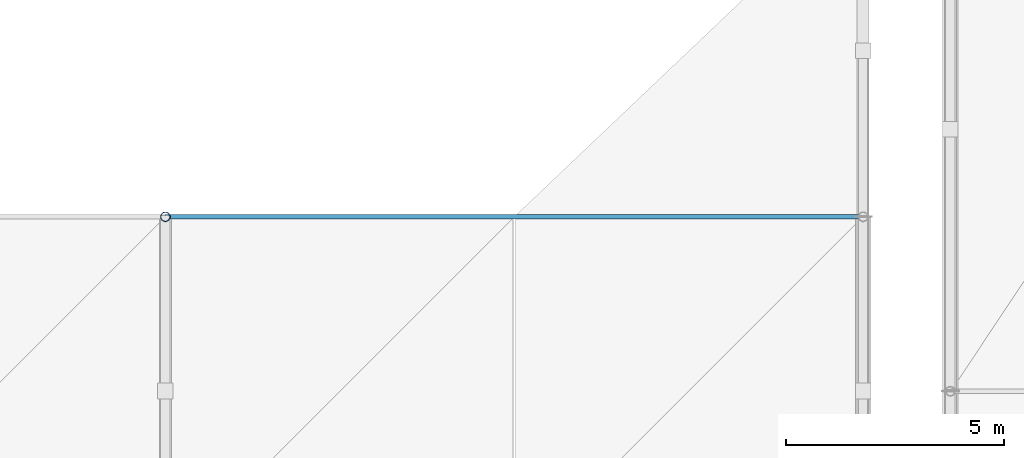
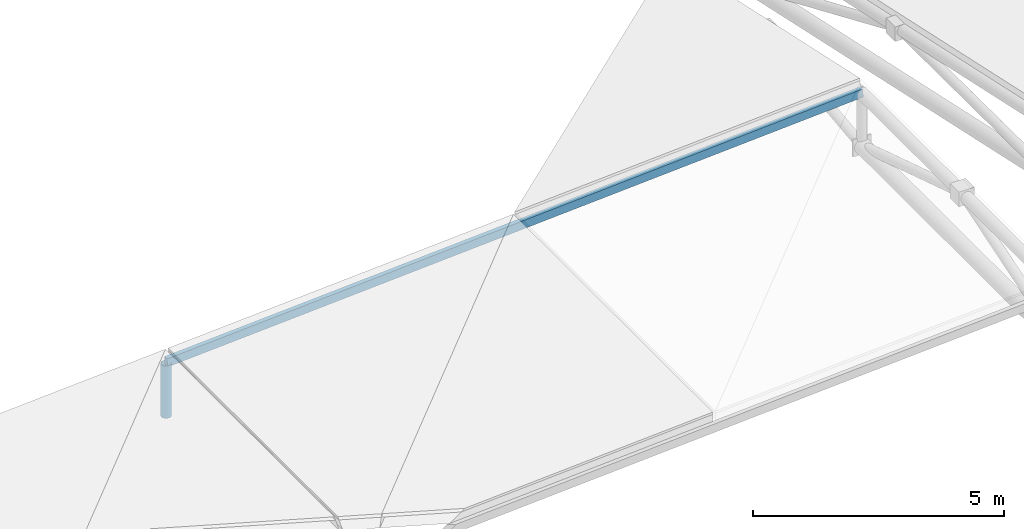
# One storey, part 8 of 27: 2 members.
"""IFC4 building model written with IfcOpenShell, lengths in metres."""

from ifc_helpers import new_model, si_unit, direction, frame, origin, origin_2d, place, context, subcontext, project, spatial, hollow_rectangle, hollow_circle, extrude, material, material_profile, profile_set, type_object, element, save


model = new_model("IFC4")

# Units and contexts
model_context = context("Model", 3, precision=1e-05, world=origin(), true_north=direction((0.0, 1.0)))
body_context = subcontext(model_context, "Body", "Model", "MODEL_VIEW")
ifc_project = project(units=[si_unit("LENGTHUNIT", "METRE"), si_unit("AREAUNIT", "SQUARE_METRE"), si_unit("VOLUMEUNIT", "CUBIC_METRE"), si_unit("PLANEANGLEUNIT", "RADIAN"), si_unit("MASSUNIT", "GRAM", prefix="KILO")], contexts=[model_context])

# Site, building, storey
site_placement = place(None, origin())
site = spatial("IfcSite", under=ifc_project, at=site_placement, CompositionType="ELEMENT")
building_placement = place(site_placement, origin())
building = spatial("IfcBuilding", under=site, at=building_placement, Name="Drelvath Fold Interchange", CompositionType="ELEMENT")
storey_placement = place(building_placement, frame((0.0, 0.0, 19.800048828125)))
storey = spatial("IfcBuildingStorey", under=building, at=storey_placement, Name="L04", CompositionType="ELEMENT", Elevation=19.800048828125)

# Members
ifc_material = material(Name="Steel ASTM A500 Grade C", Category="steel")
ifc_material_profile_1 = material_profile(ifc_material, hollow_rectangle(XDim=0.10205078125, YDim=0.202880859375, WallThickness=0.00732421875, at=origin_2d()), Name="HSS8X4X5/16")
ifc_profile_set_1 = profile_set([ifc_material_profile_1], Name="Steel ASTM A500 Grade C")
member_type_1 = type_object("IfcMemberType", Name="PR-HSS203", PredefinedType="PURLIN", material=ifc_profile_set_1)
member_1_placement = place(storey_placement, frame((84.0, 51.0, 0.64404296875), z_axis=(0.998194047838, 0.0, 0.060071980662), x_axis=(0.0, 1.0, 0.0)))
element("IfcMember", 1, at=member_1_placement, inside=storey, type_object=member_type_1, Name="L04 Space frame canopy purlin PR-HSS203", PredefinedType="PURLIN", context=body_context, shape_type="SweptSolid", body=[
    extrude(hollow_rectangle(XDim=0.10205078125, YDim=0.202880859375, WallThickness=0.00732421875, at=origin_2d()), origin(), (0.0, 0.0, 1.0), 16.029052734375),
])
ifc_material_profile_2 = material_profile(ifc_material, hollow_circle(Radius=0.109619140625, WallThickness=0.0087890625, at=origin_2d()), Name="HSS8.625X0.375")
ifc_profile_set_2 = profile_set([ifc_material_profile_2], Name="Steel ASTM A500 Grade C")
member_type_2 = type_object("IfcMemberType", Name="SF-WEB219", PredefinedType="BRACE", material=ifc_profile_set_2)
member_2_placement = place(storey_placement, frame((84.0, 51.0, -0.657958984375), z_axis=(0.0, 0.0, 1.0), x_axis=(1.0, 0.0, 0.0)))
element("IfcMember", 2, at=member_2_placement, inside=storey, type_object=member_type_2, Name="L04 Space frame roof truss web brace SF-WEB219", PredefinedType="BRACE", context=body_context, shape_type="SweptSolid", body=[
    extrude(hollow_circle(Radius=0.109619140625, WallThickness=0.0087890625, at=origin_2d()), origin(), (0.0, 0.0, 1.0), 1.27001953125),
])

save(model, "model.ifc")
